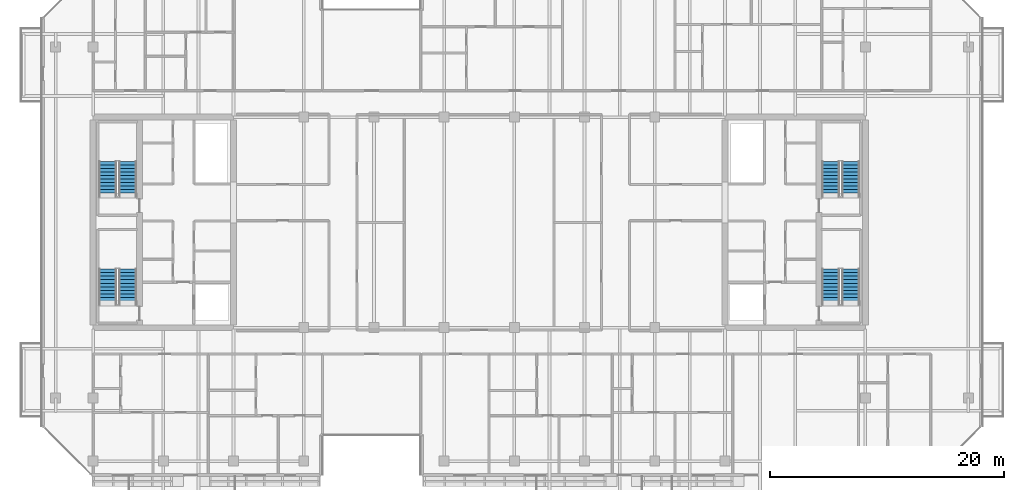
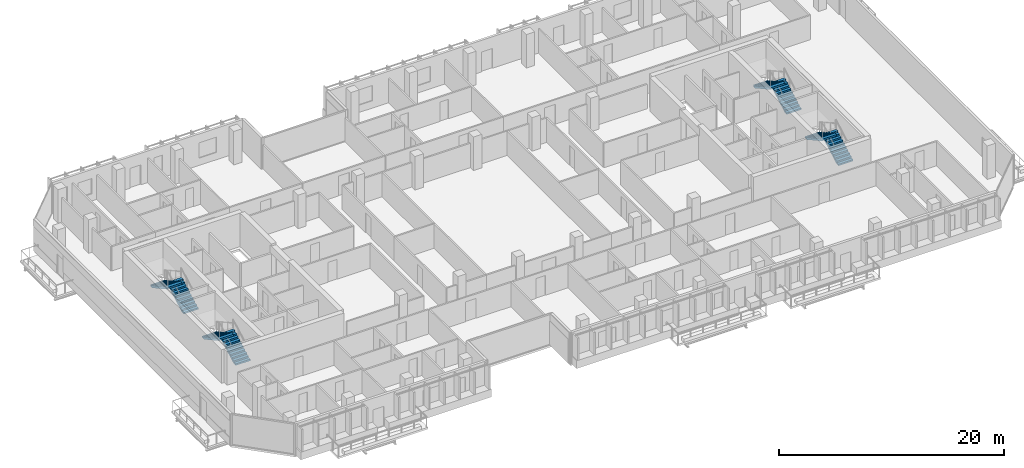
# One storey, part 25 of 30: 8 stair flights, 4 elements without a shape of their own.
"""IFC4 building model written with IfcOpenShell, lengths in metres."""

from ifc_helpers import new_model, si_unit, direction, frame, origin, place, context, subcontext, project, spatial, polyline, outline, extrude, material, type_object, element, aggregate, save


model = new_model("IFC4")

# Units and contexts
model_context = context("Model", 3, precision=1e-05, world=origin(), true_north=direction((0.0, 1.0)))
body_context = subcontext(model_context, "Body", "Model", "MODEL_VIEW")
ifc_project = project(units=[si_unit("LENGTHUNIT", "METRE"), si_unit("AREAUNIT", "SQUARE_METRE"), si_unit("VOLUMEUNIT", "CUBIC_METRE"), si_unit("PLANEANGLEUNIT", "RADIAN"), si_unit("MASSUNIT", "GRAM", prefix="KILO")], contexts=[model_context])

# Site, building, storey
site_placement = place(None, origin())
site = spatial("IfcSite", under=ifc_project, at=site_placement, CompositionType="ELEMENT")
building_placement = place(site_placement, origin())
building = spatial("IfcBuilding", under=site, at=building_placement, Name="Tanjung Sevakor Pilgrim Tower", CompositionType="ELEMENT")
storey_placement = place(building_placement, frame((0.0, 0.0, 165.659912109375)))
storey = spatial("IfcBuildingStorey", under=building, at=storey_placement, Name="L46", CompositionType="ELEMENT", Elevation=165.659912109375)

# Stair, stair flights
ifc_material_1 = material(Name="Concrete C40/50", Category="concrete")
stair_type = type_object("IfcStairType", Name="STAIR-ST-CR150", PredefinedType="HALF_TURN_STAIR", material=ifc_material_1)
stair_1_placement = place(storey_placement, origin())
stair_1 = element("IfcStair", 1, at=stair_1_placement, inside=storey, type_object=stair_type, Name="L46 West Core Exit Stair 1", PredefinedType="HALF_TURN_STAIR")
ifc_material_2 = material(Name="Concrete C40/50", Category="concrete")
stair_flight_type = type_object("IfcStairFlightType", Name="FLIGHT-ST-CR150", PredefinedType="STRAIGHT", material=ifc_material_2)
stair_flight_1_placement = place(storey_placement, frame((26.949951171875, 26.60009765625, 0.0), z_axis=(0.0, 0.0, 1.0), x_axis=(0.0, 1.0, 0.0)))
stair_flight_1 = element("IfcStairFlight", 2, at=stair_flight_1_placement, type_object=stair_flight_type, Name="TS-W1 flight 1", NumberOfRisers=11, NumberOfTreads=10, PredefinedType="STRAIGHT", RiserHeight=0.165, TreadLength=0.3, context=body_context, shape_type="SweptSolid", body=[
    extrude(outline(polyline([(0.0, 0.0), (0.0, 0.1650390625), (0.300048828125, 0.1650390625), (0.300048828125, 0.330078125), (0.60009765625, 0.330078125), (0.60009765625, 0.4951171875), (0.89990234375, 0.4951171875), (0.89990234375, 0.659912109375), (1.199951171875, 0.659912109375), (1.199951171875, 0.824951171875), (1.5, 0.824951171875), (1.5, 0.989990234375), (1.800048828125, 0.989990234375), (1.800048828125, 1.155029296875), (2.10009765625, 1.155029296875), (2.10009765625, 1.320068359375), (2.39990234375, 1.320068359375), (2.39990234375, 1.485107421875), (2.699951171875, 1.485107421875), (2.699951171875, 1.64990234375), (3.0, 1.64990234375), (3.0, 1.81494140625), (3.0, 1.467529296875), (0.331787109375, 0.0), (0.0, 0.0)])), frame((0.0, 0.75, 0.0), z_axis=(0.0, -1.0, 0.0), x_axis=(1.0, 0.0, 0.0)), (0.0, 0.0, 1.0), 1.5),
])
stair_flight_2_placement = place(storey_placement, frame((25.25, 29.60009765625, 1.815185546875), z_axis=(0.0, 0.0, 1.0), x_axis=(0.0, -1.0, 0.0)))
stair_flight_2 = element("IfcStairFlight", 3, at=stair_flight_2_placement, type_object=stair_flight_type, Name="TS-W1 flight 2", NumberOfRisers=11, NumberOfTreads=10, PredefinedType="STRAIGHT", RiserHeight=0.165, TreadLength=0.3, context=body_context, shape_type="SweptSolid", body=[
    extrude(outline(polyline([(0.0, 0.0), (0.0, 0.1650390625), (0.300048828125, 0.1650390625), (0.300048828125, 0.330078125), (0.60009765625, 0.330078125), (0.60009765625, 0.4951171875), (0.89990234375, 0.4951171875), (0.89990234375, 0.659912109375), (1.199951171875, 0.659912109375), (1.199951171875, 0.824951171875), (1.5, 0.824951171875), (1.5, 0.989990234375), (1.800048828125, 0.989990234375), (1.800048828125, 1.155029296875), (2.10009765625, 1.155029296875), (2.10009765625, 1.320068359375), (2.39990234375, 1.320068359375), (2.39990234375, 1.485107421875), (2.699951171875, 1.485107421875), (2.699951171875, 1.64990234375), (3.0, 1.64990234375), (3.0, 1.81494140625), (3.0, 1.467529296875), (0.331787109375, 0.0), (0.0, 0.0)])), frame((0.0, 0.75, 0.0), z_axis=(0.0, -1.0, 0.0), x_axis=(1.0, 0.0, 0.0)), (0.0, 0.0, 1.0), 1.5),
])
aggregate(stair_1, [stair_flight_1, stair_flight_2])

stair_2_placement = place(storey_placement, origin())
stair_2 = element("IfcStair", 4, at=stair_2_placement, inside=storey, type_object=stair_type, Name="L46 West Core Exit Stair 2", PredefinedType="HALF_TURN_STAIR")
stair_flight_3_placement = place(storey_placement, frame((26.949951171875, 35.800048828125, 0.0), z_axis=(0.0, 0.0, 1.0), x_axis=(0.0, 1.0, 0.0)))
stair_flight_3 = element("IfcStairFlight", 5, at=stair_flight_3_placement, type_object=stair_flight_type, Name="TS-W2 flight 1", NumberOfRisers=11, NumberOfTreads=10, PredefinedType="STRAIGHT", RiserHeight=0.165, TreadLength=0.3, context=body_context, shape_type="SweptSolid", body=[
    extrude(outline(polyline([(0.0, 0.0), (0.0, 0.1650390625), (0.300048828125, 0.1650390625), (0.300048828125, 0.330078125), (0.60009765625, 0.330078125), (0.60009765625, 0.4951171875), (0.89990234375, 0.4951171875), (0.89990234375, 0.659912109375), (1.199951171875, 0.659912109375), (1.199951171875, 0.824951171875), (1.5, 0.824951171875), (1.5, 0.989990234375), (1.800048828125, 0.989990234375), (1.800048828125, 1.155029296875), (2.10009765625, 1.155029296875), (2.10009765625, 1.320068359375), (2.39990234375, 1.320068359375), (2.39990234375, 1.485107421875), (2.699951171875, 1.485107421875), (2.699951171875, 1.64990234375), (3.0, 1.64990234375), (3.0, 1.81494140625), (3.0, 1.467529296875), (0.331787109375, 0.0), (0.0, 0.0)])), frame((0.0, 0.75, 0.0), z_axis=(0.0, -1.0, 0.0), x_axis=(1.0, 0.0, 0.0)), (0.0, 0.0, 1.0), 1.5),
])
stair_flight_4_placement = place(storey_placement, frame((25.25, 38.800048828125, 1.815185546875), z_axis=(0.0, 0.0, 1.0), x_axis=(0.0, -1.0, 0.0)))
stair_flight_4 = element("IfcStairFlight", 6, at=stair_flight_4_placement, type_object=stair_flight_type, Name="TS-W2 flight 2", NumberOfRisers=11, NumberOfTreads=10, PredefinedType="STRAIGHT", RiserHeight=0.165, TreadLength=0.3, context=body_context, shape_type="SweptSolid", body=[
    extrude(outline(polyline([(0.0, 0.0), (0.0, 0.1650390625), (0.300048828125, 0.1650390625), (0.300048828125, 0.330078125), (0.60009765625, 0.330078125), (0.60009765625, 0.4951171875), (0.89990234375, 0.4951171875), (0.89990234375, 0.659912109375), (1.199951171875, 0.659912109375), (1.199951171875, 0.824951171875), (1.5, 0.824951171875), (1.5, 0.989990234375), (1.800048828125, 0.989990234375), (1.800048828125, 1.155029296875), (2.10009765625, 1.155029296875), (2.10009765625, 1.320068359375), (2.39990234375, 1.320068359375), (2.39990234375, 1.485107421875), (2.699951171875, 1.485107421875), (2.699951171875, 1.64990234375), (3.0, 1.64990234375), (3.0, 1.81494140625), (3.0, 1.467529296875), (0.331787109375, 0.0), (0.0, 0.0)])), frame((0.0, 0.75, 0.0), z_axis=(0.0, -1.0, 0.0), x_axis=(1.0, 0.0, 0.0)), (0.0, 0.0, 1.0), 1.5),
])
aggregate(stair_2, [stair_flight_3, stair_flight_4])

stair_3_placement = place(storey_placement, origin())
stair_3 = element("IfcStair", 7, at=stair_3_placement, inside=storey, type_object=stair_type, Name="L46 East Core Exit Stair 1", PredefinedType="HALF_TURN_STAIR")
stair_flight_5_placement = place(storey_placement, frame((88.75, 26.60009765625, 0.0), z_axis=(0.0, 0.0, 1.0), x_axis=(0.0, 1.0, 0.0)))
stair_flight_5 = element("IfcStairFlight", 8, at=stair_flight_5_placement, type_object=stair_flight_type, Name="TS-E1 flight 1", NumberOfRisers=11, NumberOfTreads=10, PredefinedType="STRAIGHT", RiserHeight=0.165, TreadLength=0.3, context=body_context, shape_type="SweptSolid", body=[
    extrude(outline(polyline([(0.0, 0.0), (0.0, 0.1650390625), (0.300048828125, 0.1650390625), (0.300048828125, 0.330078125), (0.60009765625, 0.330078125), (0.60009765625, 0.4951171875), (0.89990234375, 0.4951171875), (0.89990234375, 0.659912109375), (1.199951171875, 0.659912109375), (1.199951171875, 0.824951171875), (1.5, 0.824951171875), (1.5, 0.989990234375), (1.800048828125, 0.989990234375), (1.800048828125, 1.155029296875), (2.10009765625, 1.155029296875), (2.10009765625, 1.320068359375), (2.39990234375, 1.320068359375), (2.39990234375, 1.485107421875), (2.699951171875, 1.485107421875), (2.699951171875, 1.64990234375), (3.0, 1.64990234375), (3.0, 1.81494140625), (3.0, 1.467529296875), (0.331787109375, 0.0), (0.0, 0.0)])), frame((0.0, 0.75, 0.0), z_axis=(0.0, -1.0, 0.0), x_axis=(1.0, 0.0, 0.0)), (0.0, 0.0, 1.0), 1.5),
])
stair_flight_6_placement = place(storey_placement, frame((87.050048828125, 29.60009765625, 1.815185546875), z_axis=(0.0, 0.0, 1.0), x_axis=(0.0, -1.0, 0.0)))
stair_flight_6 = element("IfcStairFlight", 9, at=stair_flight_6_placement, type_object=stair_flight_type, Name="TS-E1 flight 2", NumberOfRisers=11, NumberOfTreads=10, PredefinedType="STRAIGHT", RiserHeight=0.165, TreadLength=0.3, context=body_context, shape_type="SweptSolid", body=[
    extrude(outline(polyline([(0.0, 0.0), (0.0, 0.1650390625), (0.300048828125, 0.1650390625), (0.300048828125, 0.330078125), (0.60009765625, 0.330078125), (0.60009765625, 0.4951171875), (0.89990234375, 0.4951171875), (0.89990234375, 0.659912109375), (1.199951171875, 0.659912109375), (1.199951171875, 0.824951171875), (1.5, 0.824951171875), (1.5, 0.989990234375), (1.800048828125, 0.989990234375), (1.800048828125, 1.155029296875), (2.10009765625, 1.155029296875), (2.10009765625, 1.320068359375), (2.39990234375, 1.320068359375), (2.39990234375, 1.485107421875), (2.699951171875, 1.485107421875), (2.699951171875, 1.64990234375), (3.0, 1.64990234375), (3.0, 1.81494140625), (3.0, 1.467529296875), (0.331787109375, 0.0), (0.0, 0.0)])), frame((0.0, 0.75, 0.0), z_axis=(0.0, -1.0, 0.0), x_axis=(1.0, 0.0, 0.0)), (0.0, 0.0, 1.0), 1.5),
])
aggregate(stair_3, [stair_flight_5, stair_flight_6])

stair_4_placement = place(storey_placement, origin())
stair_4 = element("IfcStair", 10, at=stair_4_placement, inside=storey, type_object=stair_type, Name="L46 East Core Exit Stair 2", PredefinedType="HALF_TURN_STAIR")
stair_flight_7_placement = place(storey_placement, frame((88.75, 35.800048828125, 0.0), z_axis=(0.0, 0.0, 1.0), x_axis=(0.0, 1.0, 0.0)))
stair_flight_7 = element("IfcStairFlight", 11, at=stair_flight_7_placement, type_object=stair_flight_type, Name="TS-E2 flight 1", NumberOfRisers=11, NumberOfTreads=10, PredefinedType="STRAIGHT", RiserHeight=0.165, TreadLength=0.3, context=body_context, shape_type="SweptSolid", body=[
    extrude(outline(polyline([(0.0, 0.0), (0.0, 0.1650390625), (0.300048828125, 0.1650390625), (0.300048828125, 0.330078125), (0.60009765625, 0.330078125), (0.60009765625, 0.4951171875), (0.89990234375, 0.4951171875), (0.89990234375, 0.659912109375), (1.199951171875, 0.659912109375), (1.199951171875, 0.824951171875), (1.5, 0.824951171875), (1.5, 0.989990234375), (1.800048828125, 0.989990234375), (1.800048828125, 1.155029296875), (2.10009765625, 1.155029296875), (2.10009765625, 1.320068359375), (2.39990234375, 1.320068359375), (2.39990234375, 1.485107421875), (2.699951171875, 1.485107421875), (2.699951171875, 1.64990234375), (3.0, 1.64990234375), (3.0, 1.81494140625), (3.0, 1.467529296875), (0.331787109375, 0.0), (0.0, 0.0)])), frame((0.0, 0.75, 0.0), z_axis=(0.0, -1.0, 0.0), x_axis=(1.0, 0.0, 0.0)), (0.0, 0.0, 1.0), 1.5),
])
stair_flight_8_placement = place(storey_placement, frame((87.050048828125, 38.800048828125, 1.815185546875), z_axis=(0.0, 0.0, 1.0), x_axis=(0.0, -1.0, 0.0)))
stair_flight_8 = element("IfcStairFlight", 12, at=stair_flight_8_placement, type_object=stair_flight_type, Name="TS-E2 flight 2", NumberOfRisers=11, NumberOfTreads=10, PredefinedType="STRAIGHT", RiserHeight=0.165, TreadLength=0.3, context=body_context, shape_type="SweptSolid", body=[
    extrude(outline(polyline([(0.0, 0.0), (0.0, 0.1650390625), (0.300048828125, 0.1650390625), (0.300048828125, 0.330078125), (0.60009765625, 0.330078125), (0.60009765625, 0.4951171875), (0.89990234375, 0.4951171875), (0.89990234375, 0.659912109375), (1.199951171875, 0.659912109375), (1.199951171875, 0.824951171875), (1.5, 0.824951171875), (1.5, 0.989990234375), (1.800048828125, 0.989990234375), (1.800048828125, 1.155029296875), (2.10009765625, 1.155029296875), (2.10009765625, 1.320068359375), (2.39990234375, 1.320068359375), (2.39990234375, 1.485107421875), (2.699951171875, 1.485107421875), (2.699951171875, 1.64990234375), (3.0, 1.64990234375), (3.0, 1.81494140625), (3.0, 1.467529296875), (0.331787109375, 0.0), (0.0, 0.0)])), frame((0.0, 0.75, 0.0), z_axis=(0.0, -1.0, 0.0), x_axis=(1.0, 0.0, 0.0)), (0.0, 0.0, 1.0), 1.5),
])
aggregate(stair_4, [stair_flight_7, stair_flight_8])

save(model, "model.ifc")
